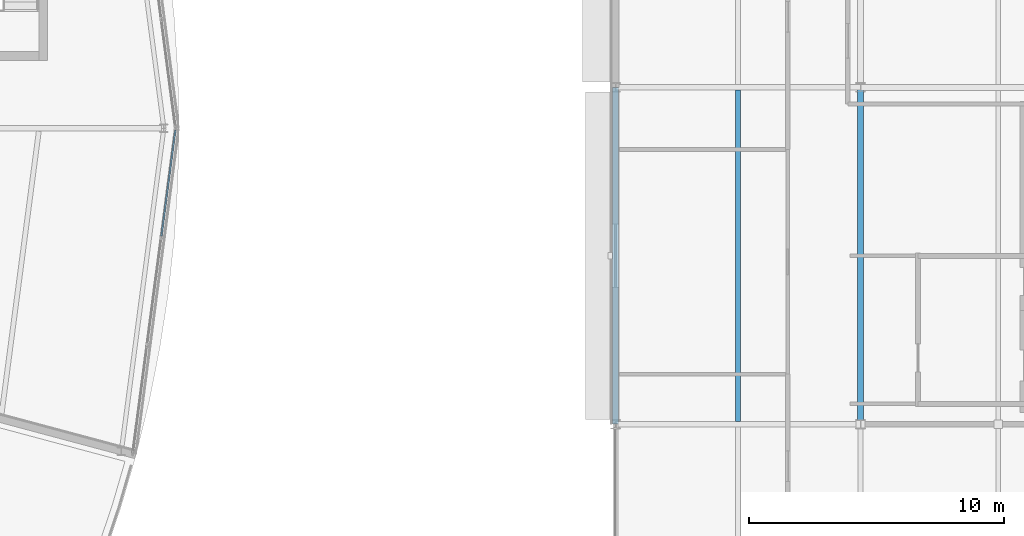
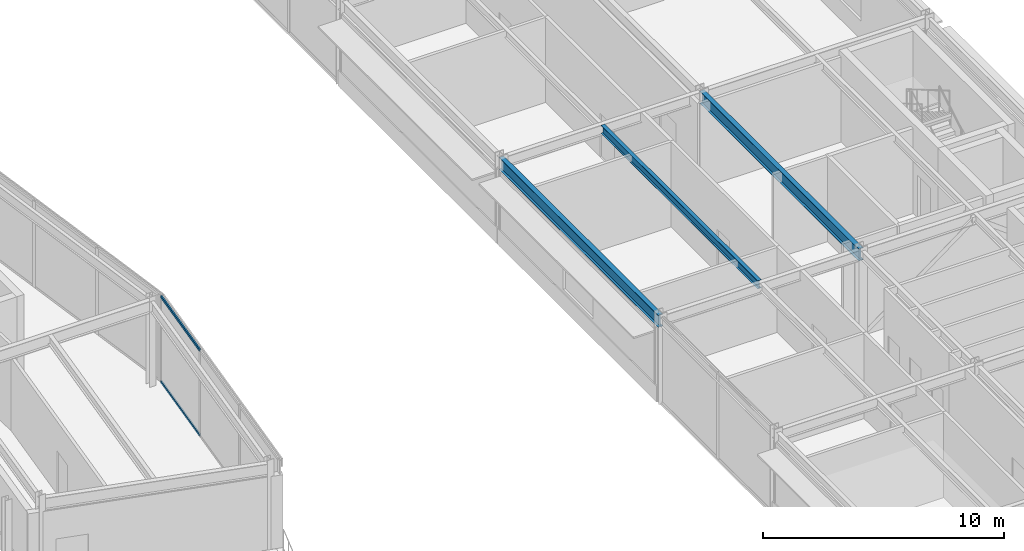
# One storey, part 72 of 116: 3 beams, 2 members, 1 element without a shape of its own.
"""IFC4 building model written with IfcOpenShell, lengths in metres."""

from ifc_helpers import new_model, si_unit, direction, frame, origin, origin_2d, place, context, subcontext, project, spatial, hollow_rectangle, i_section, extrude, material, material_profile, profile_set, type_object, element, aggregate, save


model = new_model("IFC4")

# Units and contexts
model_context = context("Model", 3, precision=1e-05, world=origin(), true_north=direction((0.0, 1.0)))
body_context = subcontext(model_context, "Body", "Model", "MODEL_VIEW")
ifc_project = project(units=[si_unit("LENGTHUNIT", "METRE"), si_unit("AREAUNIT", "SQUARE_METRE"), si_unit("VOLUMEUNIT", "CUBIC_METRE"), si_unit("PLANEANGLEUNIT", "RADIAN"), si_unit("MASSUNIT", "GRAM", prefix="KILO")], contexts=[model_context])

# Site, building, storey
site_placement = place(None, origin())
site = spatial("IfcSite", under=ifc_project, at=site_placement, CompositionType="ELEMENT")
building_placement = place(site_placement, origin())
building = spatial("IfcBuilding", under=site, at=building_placement, Name="Almandine Court Research Institute", CompositionType="ELEMENT")
storey_placement = place(building_placement, frame((0.0, 0.0, 14.35009765625)))
storey = spatial("IfcBuildingStorey", under=building, at=storey_placement, Name="L03", CompositionType="ELEMENT", Elevation=14.35009765625)

# Beams
ifc_material_1 = material(Name="Steel ASTM A992 Grade 50", Category="steel")
ifc_material_profile_1 = material_profile(ifc_material_1, i_section(OverallWidth=0.178955078125, OverallDepth=0.409912109375, WebThickness=0.009033203125, FlangeThickness=0.013916015625, at=origin_2d()), Name="W410x67")
ifc_profile_set_1 = profile_set([ifc_material_profile_1], Name="Steel ASTM A992 Grade 50")
beam_type_1 = type_object("IfcBeamType", Name="Beam-B-02", PredefinedType="JOIST", material=ifc_profile_set_1)
beam_placement = place(storey_placement, frame((158.39990234375, 44.5029296875, 4.164794921875), z_axis=(0.0, 1.0, 0.0), x_axis=(-1.0, 0.0, 0.0)))
element("IfcBeam", 1, at=beam_placement, inside=storey, type_object=beam_type_1, Name="L03 V4 Composite Secondary Beam", PredefinedType="JOIST", context=body_context, shape_type="SweptSolid", body=[
    extrude(i_section(OverallWidth=0.178955078125, OverallDepth=0.409912109375, WebThickness=0.009033203125, FlangeThickness=0.013916015625, at=origin_2d()), origin(), (0.0, 0.0, 1.0), 12.994140625),
])
ifc_material_profile_2 = material_profile(ifc_material_1, i_section(OverallWidth=0.22802734375, OverallDepth=0.60791015625, WebThickness=0.010986328125, FlangeThickness=0.01708984375, at=origin_2d()), Name="W610x113")
ifc_profile_set_2 = profile_set([ifc_material_profile_2], Name="Steel ASTM A992 Grade 50")
beam_type_2 = type_object("IfcBeamType", Name="Beam-G-03", PredefinedType="BEAM", material=ifc_profile_set_2)
for number, where, z_axis, x_axis, name in (
    (2, (153.60009765625, 44.39990234375, 4.06591796875), (0.0, 1.0, 0.0), (-1.0, 0.0, 0.0), "L03 V4 Primary Y Girder"),
    (3, (163.199951171875, 44.39990234375, 4.06591796875), (0.0, 1.0, 0.0), (-1.0, 0.0, 0.0), "L03 V4 Primary Y Girder"),
):
    element("IfcBeam", number, at=place(storey_placement, frame(where, z_axis=z_axis, x_axis=x_axis)), inside=storey, type_object=beam_type_2, Name=name, PredefinedType="BEAM", context=body_context, shape_type="SweptSolid", body=[
        extrude(i_section(OverallWidth=0.22802734375, OverallDepth=0.60791015625, WebThickness=0.010986328125, FlangeThickness=0.01708984375, at=origin_2d()), origin(), (0.0, 0.0, 1.0), 13.2001953125),
    ])

# Curtain wall, members
ifc_material_2 = material(Name="Unitised Curtain Wall Framing and Solar Glazing", Category="glass")
curtain_wall_type = type_object("IfcCurtainWallType", Name="CW-CWJ-19", PredefinedType="USERDEFINED", material=ifc_material_2)
curtain_wall_placement = place(storey_placement, origin())
curtain_wall = element("IfcCurtainWall", 4, at=curtain_wall_placement, inside=storey, type_object=curtain_wall_type, Name="L03 Stacked-Ring Drum Outer Solar Jali Screen 23", ObjectType="SOLAR JALI SCREEN", PredefinedType="USERDEFINED")
ifc_material_3 = material(Name="Anodised Aluminium AW-6063-T6", Category="aluminium")
ifc_material_profile_3 = material_profile(ifc_material_3, hollow_rectangle(XDim=0.06494140625, YDim=0.1298828125, WallThickness=0.00390625, at=origin_2d()), Name="ALU RHS 65x130x4")
ifc_profile_set_3 = profile_set([ifc_material_profile_3], Name="Anodised Aluminium AW-6063-T6")
member_type = type_object("IfcMemberType", Name="CWTrn-65x130", PredefinedType="NOTDEFINED", material=ifc_profile_set_3)
member_1_placement = place(storey_placement, frame((136.3515625, 55.931640625, 0.032470703125), z_axis=(-0.130535805655, -0.991443595694, 0.0), x_axis=(0.991443595694, -0.130535805655, 0.0)))
member_1 = element("IfcMember", 5, at=member_1_placement, type_object=member_type, Name="CWJ-19 transom 1.1", ObjectType="TRANSOM", PredefinedType="USERDEFINED", context=body_context, shape_type="SweptSolid", body=[
    extrude(hollow_rectangle(XDim=0.06494140625, YDim=0.1298828125, WallThickness=0.00390625, at=origin_2d()), origin(), (0.0, 0.0, 1.0), 4.195068359375),
])
member_2_placement = place(storey_placement, frame((136.3515625, 55.931640625, 4.33740234375), z_axis=(-0.130535805655, -0.991443595694, 0.0), x_axis=(0.991443595694, -0.130535805655, 0.0)))
member_2 = element("IfcMember", 6, at=member_2_placement, type_object=member_type, Name="CWJ-19 transom 1.2", ObjectType="TRANSOM", PredefinedType="USERDEFINED", context=body_context, shape_type="SweptSolid", body=[
    extrude(hollow_rectangle(XDim=0.06494140625, YDim=0.1298828125, WallThickness=0.00390625, at=origin_2d()), origin(), (0.0, 0.0, 1.0), 4.195068359375),
])
aggregate(curtain_wall, [member_1, member_2])

save(model, "model.ifc")
